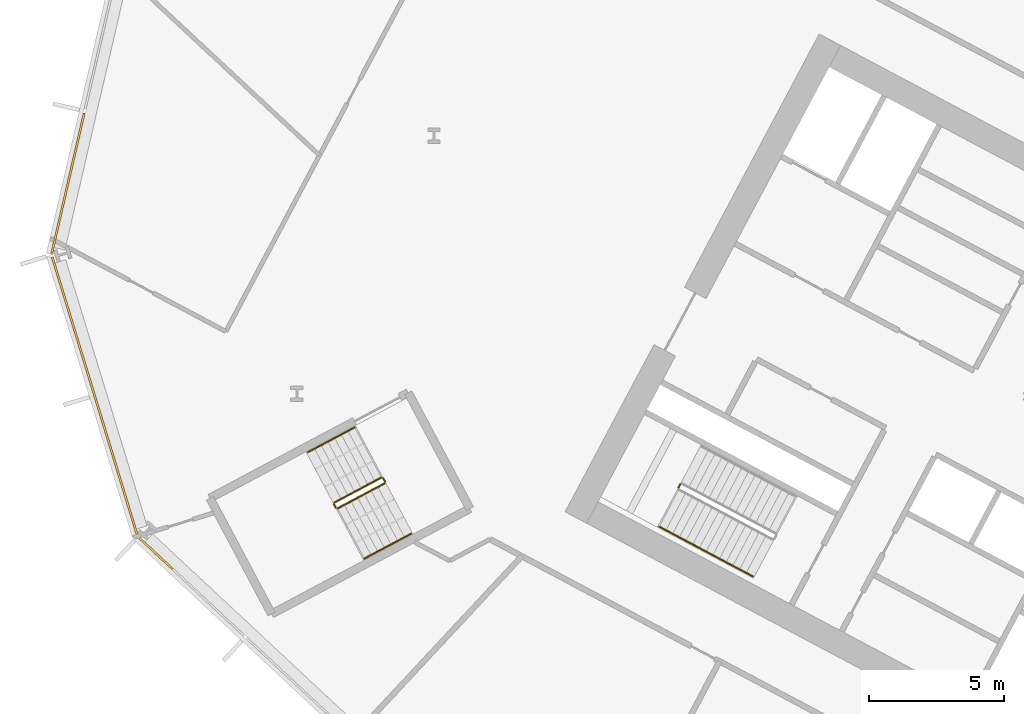
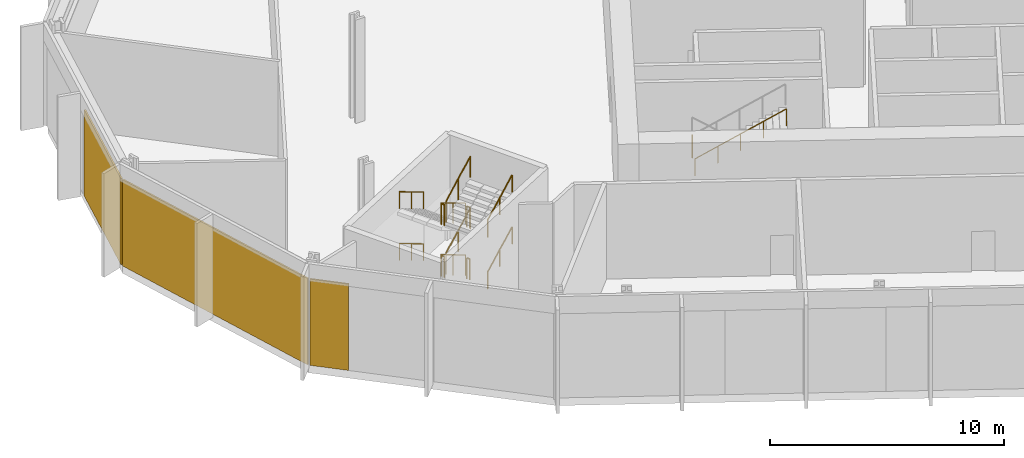
# One storey, part 22 of 32: 14 railings, 3 coverings, 3 elements without a shape of their own.
"""IFC4 building model written with IfcOpenShell, lengths in metres."""

from ifc_helpers import new_model, si_unit, direction, frame, origin, origin_2d, place, context, subcontext, project, spatial, polyline, rectangle, outline, extrude, material, layer, layer_set, type_object, element, aggregate, save


model = new_model("IFC4")

# Units and contexts
model_context = context("Model", 3, precision=1e-05, world=origin(), true_north=direction((0.0, 1.0)))
body_context = subcontext(model_context, "Body", "Model", "MODEL_VIEW")
ifc_project = project(units=[si_unit("LENGTHUNIT", "METRE"), si_unit("AREAUNIT", "SQUARE_METRE"), si_unit("VOLUMEUNIT", "CUBIC_METRE"), si_unit("PLANEANGLEUNIT", "RADIAN"), si_unit("MASSUNIT", "GRAM", prefix="KILO")], contexts=[model_context])

# Site, building, storey
site_placement = place(None, origin())
site = spatial("IfcSite", under=ifc_project, at=site_placement, CompositionType="ELEMENT")
building_placement = place(site_placement, origin())
building = spatial("IfcBuilding", under=site, at=building_placement, Name="Cormorant Relay Tower", CompositionType="ELEMENT")
storey_placement = place(building_placement, frame((0.0, 0.0, 39.199951171875)))
storey = spatial("IfcBuildingStorey", under=building, at=storey_placement, Name="L07", CompositionType="ELEMENT", Elevation=39.199951171875)

# Curtain wall, covering
ifc_material_1 = material(Name="Aluminium 6063-T6 anodised bronze", Category="aluminium")
ifc_layer_1 = layer(ifc_material_1, 0.235107421875)
ifc_layer_set_1 = layer_set([ifc_layer_1], Name="CW6 data hall curtain wall with mineral wool panels")
curtain_wall_type = type_object("IfcCurtainWallType", Name="CW6 data hall curtain wall with mineral wool panels", PredefinedType="NOTDEFINED", material=ifc_layer_set_1)
curtain_wall_1_placement = place(storey_placement, origin())
curtain_wall_1 = element("IfcCurtainWall", 1, at=curtain_wall_1_placement, inside=storey, type_object=curtain_wall_type, Name="CW6 curtain wall 11", PredefinedType="NOTDEFINED")
ifc_material_2 = material(Name="Mineral wool cored anodised bronze aluminium cassette panel", Category="aluminium")
ifc_layer_2 = layer(ifc_material_2, 0.074951171875)
ifc_layer_set_2 = layer_set([ifc_layer_2], Name="CW6 mineral wool cassette panel 75")
covering_type = type_object("IfcCoveringType", Name="CW6 mineral wool cassette panel 75", PredefinedType="CLADDING", material=ifc_layer_set_2)
covering_1_placement = place(storey_placement, frame((-60.153564453125, 23.01318359375, 0.0), z_axis=(0.0, 0.0, 1.0), x_axis=(-0.224951054344, -0.974370064785, 0.0)))
covering_1 = element("IfcCovering", 2, at=covering_1_placement, type_object=covering_type, Name="CW6 panel S02", PredefinedType="CLADDING", context=body_context, shape_type="SweptSolid", body=[
    extrude(rectangle(XDim=5.360107421875, YDim=0.074951171875, at=origin_2d()), origin(), (0.0, 0.0, 1.0), 4.5),
])
aggregate(curtain_wall_1, [covering_1])

curtain_wall_2_placement = place(storey_placement, origin())
curtain_wall_2 = element("IfcCurtainWall", 3, at=curtain_wall_2_placement, inside=storey, type_object=curtain_wall_type, Name="CW6 curtain wall 12", PredefinedType="NOTDEFINED")
covering_2_placement = place(storey_placement, frame((-59.155517578125, 15.148681640625, 0.0), z_axis=(0.0, 0.0, 1.0), x_axis=(0.292371704723, -0.956304755963, 0.0)))
covering_2 = element("IfcCovering", 4, at=covering_2_placement, type_object=covering_type, Name="CW6 panel S00", PredefinedType="CLADDING", context=body_context, shape_type="SweptSolid", body=[
    extrude(rectangle(XDim=10.79541015625, YDim=0.074951171875, at=origin_2d()), origin(), (0.0, 0.0, 1.0), 4.5),
])
aggregate(curtain_wall_2, [covering_2])

curtain_wall_3_placement = place(storey_placement, origin())
curtain_wall_3 = element("IfcCurtainWall", 5, at=curtain_wall_3_placement, inside=storey, type_object=curtain_wall_type, Name="CW6 curtain wall 13", PredefinedType="NOTDEFINED")
covering_3_placement = place(storey_placement, frame((-56.89599609375, 9.3447265625, 0.0), z_axis=(0.0, 0.0, 1.0), x_axis=(0.731353701619, -0.681998360062, 0.0)))
covering_3 = element("IfcCovering", 6, at=covering_3_placement, type_object=covering_type, Name="CW6 panel S00", PredefinedType="CLADDING", context=body_context, shape_type="SweptSolid", body=[
    extrude(rectangle(XDim=1.685302734375, YDim=0.074951171875, at=origin_2d()), origin(), (0.0, 0.0, 1.0), 4.5),
])
aggregate(curtain_wall_3, [covering_3])

# Railings
ifc_material_3 = material(Name="Steel ASTM A572 Grade 50 (Fy 345 MPa)", Category="steel")
railing_type_1 = type_object("IfcRailingType", Name="Stair guard 1100", PredefinedType="GUARDRAIL", material=ifc_material_3)
railing_1_placement = place(storey_placement, frame((-37.52099609375, 11.908935546875, 2.699951171875)))
element("IfcRailing", 7, at=railing_1_placement, inside=storey, type_object=railing_type_1, Name="L07 A2 stair guard 2", PredefinedType="GUARDRAIL", context=body_context, shape_type="SweptSolid", body=[
    extrude(outline(polyline([(0.022216796875, 0.00927734375), (0.00927734375, 0.022216796875), (-0.00927734375, 0.022216796875), (-0.022216796875, 0.00927734375), (-0.022216796875, -0.00927734375), (-0.00927734375, -0.022216796875), (0.00927734375, -0.022216796875), (0.022216796875, -0.00927734375), (0.022216796875, 0.00927734375)])), frame((0.0, 0.0, 1.076171875), z_axis=(-0.469234640946, -0.883073525669, 0.0), x_axis=(0.883073525669, -0.469234640946, 0.0)), (0.0, 0.0, 1.0), 0.14990234375),
    extrude(outline(polyline([(0.019287109375, 0.008056640625), (0.008056640625, 0.019287109375), (-0.008056640625, 0.019287109375), (-0.019287109375, 0.008056640625), (-0.019287109375, -0.008056640625), (-0.008056640625, -0.019287109375), (0.008056640625, -0.019287109375), (0.019287109375, -0.008056640625), (0.019287109375, 0.008056640625)])), origin(), (0.0, 0.0, 1.0), 1.052001953125),
    extrude(outline(polyline([(0.019287109375, 0.008056640625), (0.008056640625, 0.019287109375), (-0.008056640625, 0.019287109375), (-0.019287109375, 0.008056640625), (-0.019287109375, -0.008056640625), (-0.008056640625, -0.019287109375), (0.008056640625, -0.019287109375), (0.019287109375, -0.008056640625), (0.019287109375, 0.008056640625)])), frame((-0.0703125, -0.13232421875, 0.0)), (0.0, 0.0, 1.0), 1.052001953125),
])
railing_2_placement = place(storey_placement, frame((-48.5693359375, 12.155517578125, 0.168701171875)))
element("IfcRailing", 8, at=railing_2_placement, inside=storey, type_object=railing_type_1, Name="L07 RP1 stair guard 1", PredefinedType="GUARDRAIL", context=body_context, shape_type="SweptSolid", body=[
    extrude(outline(polyline([(0.022216796875, 0.00927734375), (0.00927734375, 0.022216796875), (-0.00927734375, 0.022216796875), (-0.022216796875, 0.00927734375), (-0.022216796875, -0.00927734375), (-0.00927734375, -0.022216796875), (0.00927734375, -0.022216796875), (0.022216796875, -0.00927734375), (0.022216796875, 0.00927734375)])), frame((0.0, 0.0, 1.076171875), z_axis=(-0.756226349707, -0.402061942735, 0.516205290765), x_axis=(0.469443581604, -0.882962470149, 0.0)), (0.0, 0.0, 1.0), 2.28857421875),
    extrude(outline(polyline([(0.019287109375, 0.008056640625), (0.008056640625, 0.019287109375), (-0.008056640625, 0.019287109375), (-0.019287109375, 0.008056640625), (-0.019287109375, -0.008056640625), (-0.008056640625, -0.019287109375), (0.008056640625, -0.019287109375), (0.019287109375, -0.008056640625), (0.019287109375, 0.008056640625)])), origin(), (0.0, 0.0, 1.0), 1.052001953125),
    extrude(outline(polyline([(0.019287109375, 0.008056640625), (0.008056640625, 0.019287109375), (-0.008056640625, 0.019287109375), (-0.019287109375, 0.008056640625), (-0.019287109375, -0.008056640625), (-0.008056640625, -0.019287109375), (0.008056640625, -0.019287109375), (0.019287109375, -0.008056640625), (0.019287109375, 0.008056640625)])), frame((-0.865234375, -0.4599609375, 0.5908203125)), (0.0, 0.0, 1.0), 1.052001953125),
    extrude(outline(polyline([(0.019287109375, 0.008056640625), (0.008056640625, 0.019287109375), (-0.008056640625, 0.019287109375), (-0.019287109375, 0.008056640625), (-0.019287109375, -0.008056640625), (-0.008056640625, -0.019287109375), (0.008056640625, -0.019287109375), (0.019287109375, -0.008056640625), (0.019287109375, 0.008056640625)])), frame((-1.730712890625, -0.920166015625, 1.181396484375)), (0.0, 0.0, 1.0), 1.052001953125),
])
railing_3_placement = place(storey_placement, frame((-50.320556640625, 11.167724609375, 1.35009765625)))
element("IfcRailing", 9, at=railing_3_placement, inside=storey, type_object=railing_type_1, Name="L07 RP1 stair guard 2", PredefinedType="GUARDRAIL", context=body_context, shape_type="SweptSolid", body=[
    extrude(outline(polyline([(0.022216796875, 0.00927734375), (0.00927734375, 0.022216796875), (-0.00927734375, 0.022216796875), (-0.022216796875, 0.00927734375), (-0.022216796875, -0.00927734375), (-0.00927734375, -0.022216796875), (0.00927734375, -0.022216796875), (0.022216796875, -0.00927734375), (0.022216796875, 0.00927734375)])), frame((0.0, 0.0, 1.076171875), z_axis=(0.46856034887, -0.8834314911, 0.0), x_axis=(0.8834314911, 0.46856034887, 0.0)), (0.0, 0.0, 1.0), 0.150146484375),
    extrude(outline(polyline([(0.019287109375, 0.008056640625), (0.008056640625, 0.019287109375), (-0.008056640625, 0.019287109375), (-0.019287109375, 0.008056640625), (-0.019287109375, -0.008056640625), (-0.008056640625, -0.019287109375), (0.008056640625, -0.019287109375), (0.019287109375, -0.008056640625), (0.019287109375, 0.008056640625)])), origin(), (0.0, 0.0, 1.0), 1.052001953125),
    extrude(outline(polyline([(0.019287109375, 0.008056640625), (0.008056640625, 0.019287109375), (-0.008056640625, 0.019287109375), (-0.019287109375, 0.008056640625), (-0.019287109375, -0.008056640625), (-0.008056640625, -0.019287109375), (0.008056640625, -0.019287109375), (0.019287109375, -0.008056640625), (0.019287109375, 0.008056640625)])), frame((0.0703125, -0.132568359375, 0.0)), (0.0, 0.0, 1.0), 1.052001953125),
])
railing_4_placement = place(storey_placement, frame((-50.1826171875, 11.014404296875, 1.518798828125)))
element("IfcRailing", 10, at=railing_4_placement, inside=storey, type_object=railing_type_1, Name="L07 RP1 stair guard 3", PredefinedType="GUARDRAIL", context=body_context, shape_type="SweptSolid", body=[
    extrude(outline(polyline([(0.022216796875, 0.00927734375), (0.00927734375, 0.022216796875), (-0.00927734375, 0.022216796875), (-0.022216796875, 0.00927734375), (-0.022216796875, -0.00927734375), (-0.00927734375, -0.022216796875), (0.00927734375, -0.022216796875), (0.022216796875, -0.00927734375), (0.022216796875, 0.00927734375)])), frame((0.0, 0.0, 1.076171875), z_axis=(0.756267991755, 0.402084082512, 0.516127034012), x_axis=(-0.469443581604, 0.882962470149, 0.0)), (0.0, 0.0, 1.0), 2.28857421875),
    extrude(outline(polyline([(0.019287109375, 0.008056640625), (0.008056640625, 0.019287109375), (-0.008056640625, 0.019287109375), (-0.019287109375, 0.008056640625), (-0.019287109375, -0.008056640625), (-0.008056640625, -0.019287109375), (0.008056640625, -0.019287109375), (0.019287109375, -0.008056640625), (0.019287109375, 0.008056640625)])), origin(), (0.0, 0.0, 1.0), 1.052001953125),
    extrude(outline(polyline([(0.019287109375, 0.008056640625), (0.008056640625, 0.019287109375), (-0.008056640625, 0.019287109375), (-0.019287109375, 0.008056640625), (-0.019287109375, -0.008056640625), (-0.008056640625, -0.019287109375), (0.008056640625, -0.019287109375), (0.019287109375, -0.008056640625), (0.019287109375, 0.008056640625)])), frame((0.865234375, 0.4599609375, 0.590576171875)), (0.0, 0.0, 1.0), 1.052001953125),
    extrude(outline(polyline([(0.019287109375, 0.008056640625), (0.008056640625, 0.019287109375), (-0.008056640625, 0.019287109375), (-0.019287109375, 0.008056640625), (-0.019287109375, -0.008056640625), (-0.008056640625, -0.019287109375), (0.008056640625, -0.019287109375), (0.019287109375, -0.008056640625), (0.019287109375, 0.008056640625)])), frame((1.730712890625, 0.920166015625, 1.18115234375)), (0.0, 0.0, 1.0), 1.052001953125),
])
railing_5_placement = place(storey_placement, frame((-48.501708984375, 12.134765625, 2.699951171875)))
element("IfcRailing", 11, at=railing_5_placement, inside=storey, type_object=railing_type_1, Name="L07 RP1 stair guard 4", PredefinedType="GUARDRAIL", context=body_context, shape_type="SweptSolid", body=[
    extrude(outline(polyline([(0.022216796875, 0.00927734375), (0.00927734375, 0.022216796875), (-0.00927734375, 0.022216796875), (-0.022216796875, 0.00927734375), (-0.022216796875, -0.00927734375), (-0.00927734375, -0.022216796875), (0.00927734375, -0.022216796875), (0.022216796875, -0.00927734375), (0.022216796875, 0.00927734375)])), frame((0.0, 0.0, 1.076171875), z_axis=(0.46856034887, -0.8834314911, 0.0), x_axis=(0.8834314911, 0.46856034887, 0.0)), (0.0, 0.0, 1.0), 0.150146484375),
    extrude(outline(polyline([(0.019287109375, 0.008056640625), (0.008056640625, 0.019287109375), (-0.008056640625, 0.019287109375), (-0.019287109375, 0.008056640625), (-0.019287109375, -0.008056640625), (-0.008056640625, -0.019287109375), (0.008056640625, -0.019287109375), (0.019287109375, -0.008056640625), (0.019287109375, 0.008056640625)])), origin(), (0.0, 0.0, 1.0), 1.052001953125),
    extrude(outline(polyline([(0.019287109375, 0.008056640625), (0.008056640625, 0.019287109375), (-0.008056640625, 0.019287109375), (-0.019287109375, 0.008056640625), (-0.019287109375, -0.008056640625), (-0.008056640625, -0.019287109375), (0.008056640625, -0.019287109375), (0.019287109375, -0.008056640625), (0.019287109375, 0.008056640625)])), frame((0.0703125, -0.132568359375, 0.0)), (0.0, 0.0, 1.0), 1.052001953125),
])
railing_6_placement = place(storey_placement, frame((-48.5693359375, 12.155517578125, 2.868896484375)))
element("IfcRailing", 12, at=railing_6_placement, inside=storey, type_object=railing_type_1, Name="L07 RP1 stair guard 5", PredefinedType="GUARDRAIL", context=body_context, shape_type="SweptSolid", body=[
    extrude(outline(polyline([(0.022216796875, 0.00927734375), (0.00927734375, 0.022216796875), (-0.00927734375, 0.022216796875), (-0.022216796875, 0.00927734375), (-0.022216796875, -0.00927734375), (-0.00927734375, -0.022216796875), (0.00927734375, -0.022216796875), (0.022216796875, -0.00927734375), (0.022216796875, 0.00927734375)])), frame((0.0, 0.0, 1.076171875), z_axis=(-0.756267991755, -0.402084082512, 0.516127034012), x_axis=(0.469443581604, -0.882962470149, 0.0)), (0.0, 0.0, 1.0), 2.28857421875),
    extrude(outline(polyline([(0.019287109375, 0.008056640625), (0.008056640625, 0.019287109375), (-0.008056640625, 0.019287109375), (-0.019287109375, 0.008056640625), (-0.019287109375, -0.008056640625), (-0.008056640625, -0.019287109375), (0.008056640625, -0.019287109375), (0.019287109375, -0.008056640625), (0.019287109375, 0.008056640625)])), origin(), (0.0, 0.0, 1.0), 1.052001953125),
    extrude(outline(polyline([(0.019287109375, 0.008056640625), (0.008056640625, 0.019287109375), (-0.008056640625, 0.019287109375), (-0.019287109375, 0.008056640625), (-0.019287109375, -0.008056640625), (-0.008056640625, -0.019287109375), (0.008056640625, -0.019287109375), (0.019287109375, -0.008056640625), (0.019287109375, 0.008056640625)])), frame((-0.865234375, -0.4599609375, 0.590576171875)), (0.0, 0.0, 1.0), 1.052001953125),
    extrude(outline(polyline([(0.019287109375, 0.008056640625), (0.008056640625, 0.019287109375), (-0.008056640625, 0.019287109375), (-0.019287109375, 0.008056640625), (-0.019287109375, -0.008056640625), (-0.008056640625, -0.019287109375), (0.008056640625, -0.019287109375), (0.019287109375, -0.008056640625), (0.019287109375, 0.008056640625)])), frame((-1.730712890625, -0.920166015625, 1.18115234375)), (0.0, 0.0, 1.0), 1.052001953125),
])
railing_7_placement = place(storey_placement, frame((-50.320556640625, 11.167724609375, 4.050048828125)))
element("IfcRailing", 13, at=railing_7_placement, inside=storey, type_object=railing_type_1, Name="L07 RP1 stair guard 6", PredefinedType="GUARDRAIL", context=body_context, shape_type="SweptSolid", body=[
    extrude(outline(polyline([(0.022216796875, 0.00927734375), (0.00927734375, 0.022216796875), (-0.00927734375, 0.022216796875), (-0.022216796875, 0.00927734375), (-0.022216796875, -0.00927734375), (-0.00927734375, -0.022216796875), (0.00927734375, -0.022216796875), (0.022216796875, -0.00927734375), (0.022216796875, 0.00927734375)])), frame((0.0, 0.0, 1.076171875), z_axis=(0.46856034887, -0.8834314911, 0.0), x_axis=(0.8834314911, 0.46856034887, 0.0)), (0.0, 0.0, 1.0), 0.150146484375),
    extrude(outline(polyline([(0.019287109375, 0.008056640625), (0.008056640625, 0.019287109375), (-0.008056640625, 0.019287109375), (-0.019287109375, 0.008056640625), (-0.019287109375, -0.008056640625), (-0.008056640625, -0.019287109375), (0.008056640625, -0.019287109375), (0.019287109375, -0.008056640625), (0.019287109375, 0.008056640625)])), origin(), (0.0, 0.0, 1.0), 1.052001953125),
    extrude(outline(polyline([(0.019287109375, 0.008056640625), (0.008056640625, 0.019287109375), (-0.008056640625, 0.019287109375), (-0.019287109375, 0.008056640625), (-0.019287109375, -0.008056640625), (-0.008056640625, -0.019287109375), (0.008056640625, -0.019287109375), (0.019287109375, -0.008056640625), (0.019287109375, 0.008056640625)])), frame((0.0703125, -0.132568359375, 0.0)), (0.0, 0.0, 1.0), 1.052001953125),
])
railing_8_placement = place(storey_placement, frame((-50.1826171875, 11.014404296875, 4.21875)))
element("IfcRailing", 14, at=railing_8_placement, inside=storey, type_object=railing_type_1, Name="L07 RP1 stair guard 7", PredefinedType="GUARDRAIL", context=body_context, shape_type="SweptSolid", body=[
    extrude(outline(polyline([(0.022216796875, 0.00927734375), (0.00927734375, 0.022216796875), (-0.00927734375, 0.022216796875), (-0.022216796875, 0.00927734375), (-0.022216796875, -0.00927734375), (-0.00927734375, -0.022216796875), (0.00927734375, -0.022216796875), (0.022216796875, -0.00927734375), (0.022216796875, 0.00927734375)])), frame((0.0, 0.0, 1.076171875), z_axis=(0.756226349707, 0.402061942735, 0.516205290765), x_axis=(-0.469443581604, 0.882962470149, 0.0)), (0.0, 0.0, 1.0), 2.28857421875),
    extrude(outline(polyline([(0.019287109375, 0.008056640625), (0.008056640625, 0.019287109375), (-0.008056640625, 0.019287109375), (-0.019287109375, 0.008056640625), (-0.019287109375, -0.008056640625), (-0.008056640625, -0.019287109375), (0.008056640625, -0.019287109375), (0.019287109375, -0.008056640625), (0.019287109375, 0.008056640625)])), origin(), (0.0, 0.0, 1.0), 1.052001953125),
    extrude(outline(polyline([(0.019287109375, 0.008056640625), (0.008056640625, 0.019287109375), (-0.008056640625, 0.019287109375), (-0.019287109375, 0.008056640625), (-0.019287109375, -0.008056640625), (-0.008056640625, -0.019287109375), (0.008056640625, -0.019287109375), (0.019287109375, -0.008056640625), (0.019287109375, 0.008056640625)])), frame((0.865234375, 0.4599609375, 0.5908203125)), (0.0, 0.0, 1.0), 1.052001953125),
    extrude(outline(polyline([(0.019287109375, 0.008056640625), (0.008056640625, 0.019287109375), (-0.008056640625, 0.019287109375), (-0.019287109375, 0.008056640625), (-0.019287109375, -0.008056640625), (-0.008056640625, -0.019287109375), (0.008056640625, -0.019287109375), (0.019287109375, -0.008056640625), (0.019287109375, 0.008056640625)])), frame((1.730712890625, 0.920166015625, 1.181396484375)), (0.0, 0.0, 1.0), 1.052001953125),
])
railing_9_placement = place(storey_placement, frame((-48.501708984375, 12.134765625, 0.0)))
element("IfcRailing", 15, at=railing_9_placement, inside=storey, type_object=railing_type_1, Name="L07 RP1 stair guard 8", PredefinedType="GUARDRAIL", context=body_context, shape_type="SweptSolid", body=[
    extrude(outline(polyline([(0.022216796875, 0.00927734375), (0.00927734375, 0.022216796875), (-0.00927734375, 0.022216796875), (-0.022216796875, 0.00927734375), (-0.022216796875, -0.00927734375), (-0.00927734375, -0.022216796875), (0.00927734375, -0.022216796875), (0.022216796875, -0.00927734375), (0.022216796875, 0.00927734375)])), frame((0.0, 0.0, 1.076171875), z_axis=(0.46856034887, -0.8834314911, 0.0), x_axis=(0.8834314911, 0.46856034887, 0.0)), (0.0, 0.0, 1.0), 0.150146484375),
    extrude(outline(polyline([(0.019287109375, 0.008056640625), (0.008056640625, 0.019287109375), (-0.008056640625, 0.019287109375), (-0.019287109375, 0.008056640625), (-0.019287109375, -0.008056640625), (-0.008056640625, -0.019287109375), (0.008056640625, -0.019287109375), (0.019287109375, -0.008056640625), (0.019287109375, 0.008056640625)])), origin(), (0.0, 0.0, 1.0), 1.052001953125),
    extrude(outline(polyline([(0.019287109375, 0.008056640625), (0.008056640625, 0.019287109375), (-0.008056640625, 0.019287109375), (-0.019287109375, 0.008056640625), (-0.019287109375, -0.008056640625), (-0.008056640625, -0.019287109375), (0.008056640625, -0.019287109375), (0.019287109375, -0.008056640625), (0.019287109375, 0.008056640625)])), frame((0.0703125, -0.132568359375, 0.0)), (0.0, 0.0, 1.0), 1.052001953125),
])
ifc_material_4 = material(Name="Steel ASTM A572 Grade 50 (Fy 345 MPa)", Category="steel")
railing_type_2 = type_object("IfcRailingType", Name="Stair handrail 900", PredefinedType="HANDRAIL", material=ifc_material_4)
railing_10_placement = place(storey_placement, frame((-38.29833984375, 10.34033203125, 2.880126953125)))
element("IfcRailing", 16, at=railing_10_placement, inside=storey, type_object=railing_type_2, Name="L07 A2 stair handrail 2", PredefinedType="HANDRAIL", context=body_context, shape_type="SweptSolid", body=[
    extrude(outline(polyline([(0.022216796875, 0.00927734375), (0.00927734375, 0.022216796875), (-0.00927734375, 0.022216796875), (-0.022216796875, 0.00927734375), (-0.022216796875, -0.00927734375), (-0.00927734375, -0.022216796875), (0.00927734375, -0.022216796875), (0.022216796875, -0.00927734375), (0.022216796875, 0.00927734375)])), frame((0.0, 0.0, 0.8759765625), z_axis=(0.74271721126, -0.394907409077, 0.540758062681), x_axis=(0.469469396681, 0.882948744594, 0.0)), (0.0, 0.0, 1.0), 4.66015625),
    extrude(outline(polyline([(0.019287109375, 0.008056640625), (0.008056640625, 0.019287109375), (-0.008056640625, 0.019287109375), (-0.019287109375, 0.008056640625), (-0.019287109375, -0.008056640625), (-0.008056640625, -0.019287109375), (0.008056640625, -0.019287109375), (0.019287109375, -0.008056640625), (0.019287109375, 0.008056640625)])), origin(), (0.0, 0.0, 1.0), 0.851806640625),
    extrude(outline(polyline([(0.019287109375, 0.008056640625), (0.008056640625, 0.019287109375), (-0.008056640625, 0.019287109375), (-0.019287109375, 0.008056640625), (-0.019287109375, -0.008056640625), (-0.008056640625, -0.019287109375), (0.008056640625, -0.019287109375), (0.019287109375, -0.008056640625), (0.019287109375, 0.008056640625)])), frame((0.865234375, -0.4599609375, 0.6298828125)), (0.0, 0.0, 1.0), 0.851806640625),
    extrude(outline(polyline([(0.019287109375, 0.008056640625), (0.008056640625, 0.019287109375), (-0.008056640625, 0.019287109375), (-0.019287109375, 0.008056640625), (-0.019287109375, -0.008056640625), (-0.008056640625, -0.019287109375), (0.008056640625, -0.019287109375), (0.019287109375, -0.008056640625), (0.019287109375, 0.008056640625)])), frame((1.73046875, -0.920166015625, 1.260009765625)), (0.0, 0.0, 1.0), 0.851806640625),
    extrude(outline(polyline([(0.019287109375, 0.008056640625), (0.008056640625, 0.019287109375), (-0.008056640625, 0.019287109375), (-0.019287109375, 0.008056640625), (-0.019287109375, -0.008056640625), (-0.008056640625, -0.019287109375), (0.008056640625, -0.019287109375), (0.019287109375, -0.008056640625), (0.019287109375, 0.008056640625)])), frame((2.595947265625, -1.38037109375, 1.89013671875)), (0.0, 0.0, 1.0), 0.851806640625),
    extrude(outline(polyline([(0.019287109375, 0.008056640625), (0.008056640625, 0.019287109375), (-0.008056640625, 0.019287109375), (-0.019287109375, 0.008056640625), (-0.019287109375, -0.008056640625), (-0.008056640625, -0.019287109375), (0.008056640625, -0.019287109375), (0.019287109375, -0.008056640625), (0.019287109375, 0.008056640625)])), frame((3.461181640625, -1.84033203125, 2.52001953125)), (0.0, 0.0, 1.0), 0.851806640625),
])
railing_11_placement = place(storey_placement, frame((-49.55517578125, 14.009521484375, 0.168701171875)))
element("IfcRailing", 17, at=railing_11_placement, inside=storey, type_object=railing_type_2, Name="L07 RP1 stair handrail 1", PredefinedType="HANDRAIL", context=body_context, shape_type="SweptSolid", body=[
    extrude(outline(polyline([(0.022216796875, 0.00927734375), (0.00927734375, 0.022216796875), (-0.00927734375, 0.022216796875), (-0.022216796875, 0.00927734375), (-0.022216796875, -0.00927734375), (-0.00927734375, -0.022216796875), (0.00927734375, -0.022216796875), (0.022216796875, -0.00927734375), (0.022216796875, 0.00927734375)])), frame((0.0, 0.0, 0.8759765625), z_axis=(-0.756226349707, -0.402061942735, 0.516205290765), x_axis=(0.469443581604, -0.882962470149, 0.0)), (0.0, 0.0, 1.0), 2.28857421875),
    extrude(outline(polyline([(0.019287109375, 0.008056640625), (0.008056640625, 0.019287109375), (-0.008056640625, 0.019287109375), (-0.019287109375, 0.008056640625), (-0.019287109375, -0.008056640625), (-0.008056640625, -0.019287109375), (0.008056640625, -0.019287109375), (0.019287109375, -0.008056640625), (0.019287109375, 0.008056640625)])), origin(), (0.0, 0.0, 1.0), 0.851806640625),
    extrude(outline(polyline([(0.019287109375, 0.008056640625), (0.008056640625, 0.019287109375), (-0.008056640625, 0.019287109375), (-0.019287109375, 0.008056640625), (-0.019287109375, -0.008056640625), (-0.008056640625, -0.019287109375), (0.008056640625, -0.019287109375), (0.019287109375, -0.008056640625), (0.019287109375, 0.008056640625)])), frame((-0.865234375, -0.4599609375, 0.5908203125)), (0.0, 0.0, 1.0), 0.851806640625),
    extrude(outline(polyline([(0.019287109375, 0.008056640625), (0.008056640625, 0.019287109375), (-0.008056640625, 0.019287109375), (-0.019287109375, 0.008056640625), (-0.019287109375, -0.008056640625), (-0.008056640625, -0.019287109375), (0.008056640625, -0.019287109375), (0.019287109375, -0.008056640625), (0.019287109375, 0.008056640625)])), frame((-1.730712890625, -0.920166015625, 1.181396484375)), (0.0, 0.0, 1.0), 0.851806640625),
])
railing_12_placement = place(storey_placement, frame((-49.19677734375, 9.160400390625, 1.518798828125)))
element("IfcRailing", 18, at=railing_12_placement, inside=storey, type_object=railing_type_2, Name="L07 RP1 stair handrail 2", PredefinedType="HANDRAIL", context=body_context, shape_type="SweptSolid", body=[
    extrude(outline(polyline([(0.022216796875, 0.00927734375), (0.00927734375, 0.022216796875), (-0.00927734375, 0.022216796875), (-0.022216796875, 0.00927734375), (-0.022216796875, -0.00927734375), (-0.00927734375, -0.022216796875), (0.00927734375, -0.022216796875), (0.022216796875, -0.00927734375), (0.022216796875, 0.00927734375)])), frame((0.0, 0.0, 0.8759765625), z_axis=(0.756267991755, 0.402084082512, 0.516127034012), x_axis=(-0.469443581604, 0.882962470149, 0.0)), (0.0, 0.0, 1.0), 2.28857421875),
    extrude(outline(polyline([(0.019287109375, 0.008056640625), (0.008056640625, 0.019287109375), (-0.008056640625, 0.019287109375), (-0.019287109375, 0.008056640625), (-0.019287109375, -0.008056640625), (-0.008056640625, -0.019287109375), (0.008056640625, -0.019287109375), (0.019287109375, -0.008056640625), (0.019287109375, 0.008056640625)])), origin(), (0.0, 0.0, 1.0), 0.851806640625),
    extrude(outline(polyline([(0.019287109375, 0.008056640625), (0.008056640625, 0.019287109375), (-0.008056640625, 0.019287109375), (-0.019287109375, 0.008056640625), (-0.019287109375, -0.008056640625), (-0.008056640625, -0.019287109375), (0.008056640625, -0.019287109375), (0.019287109375, -0.008056640625), (0.019287109375, 0.008056640625)])), frame((0.865234375, 0.4599609375, 0.590576171875)), (0.0, 0.0, 1.0), 0.851806640625),
    extrude(outline(polyline([(0.019287109375, 0.008056640625), (0.008056640625, 0.019287109375), (-0.008056640625, 0.019287109375), (-0.019287109375, 0.008056640625), (-0.019287109375, -0.008056640625), (-0.008056640625, -0.019287109375), (0.008056640625, -0.019287109375), (0.019287109375, -0.008056640625), (0.019287109375, 0.008056640625)])), frame((1.730712890625, 0.920166015625, 1.18115234375)), (0.0, 0.0, 1.0), 0.851806640625),
])
railing_13_placement = place(storey_placement, frame((-49.55517578125, 14.009521484375, 2.868896484375)))
element("IfcRailing", 19, at=railing_13_placement, inside=storey, type_object=railing_type_2, Name="L07 RP1 stair handrail 3", PredefinedType="HANDRAIL", context=body_context, shape_type="SweptSolid", body=[
    extrude(outline(polyline([(0.022216796875, 0.00927734375), (0.00927734375, 0.022216796875), (-0.00927734375, 0.022216796875), (-0.022216796875, 0.00927734375), (-0.022216796875, -0.00927734375), (-0.00927734375, -0.022216796875), (0.00927734375, -0.022216796875), (0.022216796875, -0.00927734375), (0.022216796875, 0.00927734375)])), frame((0.0, 0.0, 0.8759765625), z_axis=(-0.756267991755, -0.402084082512, 0.516127034012), x_axis=(0.469443581604, -0.882962470149, 0.0)), (0.0, 0.0, 1.0), 2.28857421875),
    extrude(outline(polyline([(0.019287109375, 0.008056640625), (0.008056640625, 0.019287109375), (-0.008056640625, 0.019287109375), (-0.019287109375, 0.008056640625), (-0.019287109375, -0.008056640625), (-0.008056640625, -0.019287109375), (0.008056640625, -0.019287109375), (0.019287109375, -0.008056640625), (0.019287109375, 0.008056640625)])), origin(), (0.0, 0.0, 1.0), 0.851806640625),
    extrude(outline(polyline([(0.019287109375, 0.008056640625), (0.008056640625, 0.019287109375), (-0.008056640625, 0.019287109375), (-0.019287109375, 0.008056640625), (-0.019287109375, -0.008056640625), (-0.008056640625, -0.019287109375), (0.008056640625, -0.019287109375), (0.019287109375, -0.008056640625), (0.019287109375, 0.008056640625)])), frame((-0.865234375, -0.4599609375, 0.590576171875)), (0.0, 0.0, 1.0), 0.851806640625),
    extrude(outline(polyline([(0.019287109375, 0.008056640625), (0.008056640625, 0.019287109375), (-0.008056640625, 0.019287109375), (-0.019287109375, 0.008056640625), (-0.019287109375, -0.008056640625), (-0.008056640625, -0.019287109375), (0.008056640625, -0.019287109375), (0.019287109375, -0.008056640625), (0.019287109375, 0.008056640625)])), frame((-1.730712890625, -0.920166015625, 1.18115234375)), (0.0, 0.0, 1.0), 0.851806640625),
])
railing_14_placement = place(storey_placement, frame((-49.19677734375, 9.160400390625, 4.21875)))
element("IfcRailing", 20, at=railing_14_placement, inside=storey, type_object=railing_type_2, Name="L07 RP1 stair handrail 4", PredefinedType="HANDRAIL", context=body_context, shape_type="SweptSolid", body=[
    extrude(outline(polyline([(0.022216796875, 0.00927734375), (0.00927734375, 0.022216796875), (-0.00927734375, 0.022216796875), (-0.022216796875, 0.00927734375), (-0.022216796875, -0.00927734375), (-0.00927734375, -0.022216796875), (0.00927734375, -0.022216796875), (0.022216796875, -0.00927734375), (0.022216796875, 0.00927734375)])), frame((0.0, 0.0, 0.8759765625), z_axis=(0.756226349707, 0.402061942735, 0.516205290765), x_axis=(-0.469443581604, 0.882962470149, 0.0)), (0.0, 0.0, 1.0), 2.28857421875),
    extrude(outline(polyline([(0.019287109375, 0.008056640625), (0.008056640625, 0.019287109375), (-0.008056640625, 0.019287109375), (-0.019287109375, 0.008056640625), (-0.019287109375, -0.008056640625), (-0.008056640625, -0.019287109375), (0.008056640625, -0.019287109375), (0.019287109375, -0.008056640625), (0.019287109375, 0.008056640625)])), origin(), (0.0, 0.0, 1.0), 0.851806640625),
    extrude(outline(polyline([(0.019287109375, 0.008056640625), (0.008056640625, 0.019287109375), (-0.008056640625, 0.019287109375), (-0.019287109375, 0.008056640625), (-0.019287109375, -0.008056640625), (-0.008056640625, -0.019287109375), (0.008056640625, -0.019287109375), (0.019287109375, -0.008056640625), (0.019287109375, 0.008056640625)])), frame((0.865234375, 0.4599609375, 0.5908203125)), (0.0, 0.0, 1.0), 0.851806640625),
    extrude(outline(polyline([(0.019287109375, 0.008056640625), (0.008056640625, 0.019287109375), (-0.008056640625, 0.019287109375), (-0.019287109375, 0.008056640625), (-0.019287109375, -0.008056640625), (-0.008056640625, -0.019287109375), (0.008056640625, -0.019287109375), (0.019287109375, -0.008056640625), (0.019287109375, 0.008056640625)])), frame((1.730712890625, 0.920166015625, 1.181396484375)), (0.0, 0.0, 1.0), 0.851806640625),
])

save(model, "model.ifc")
